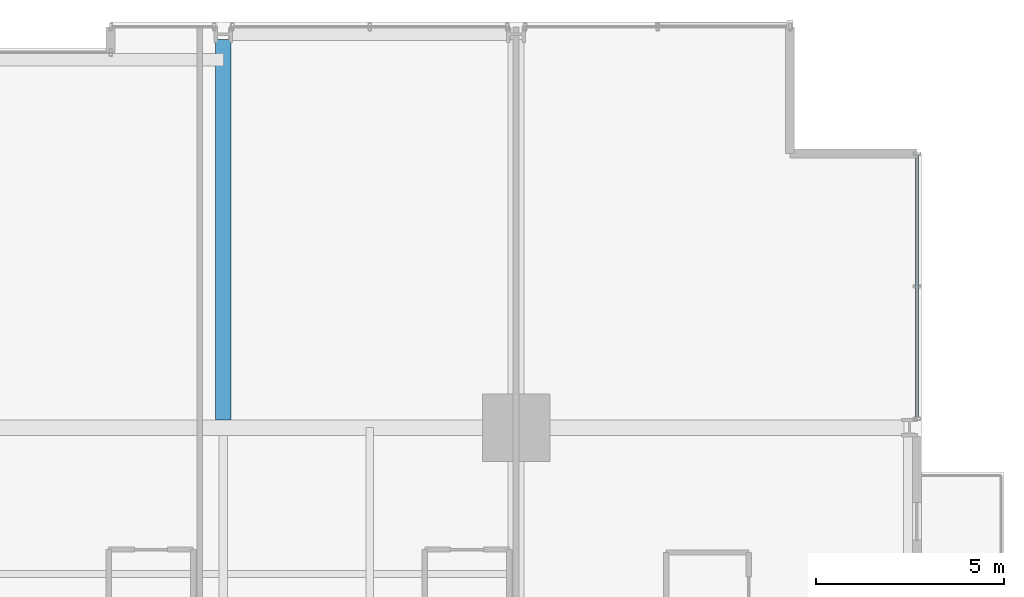
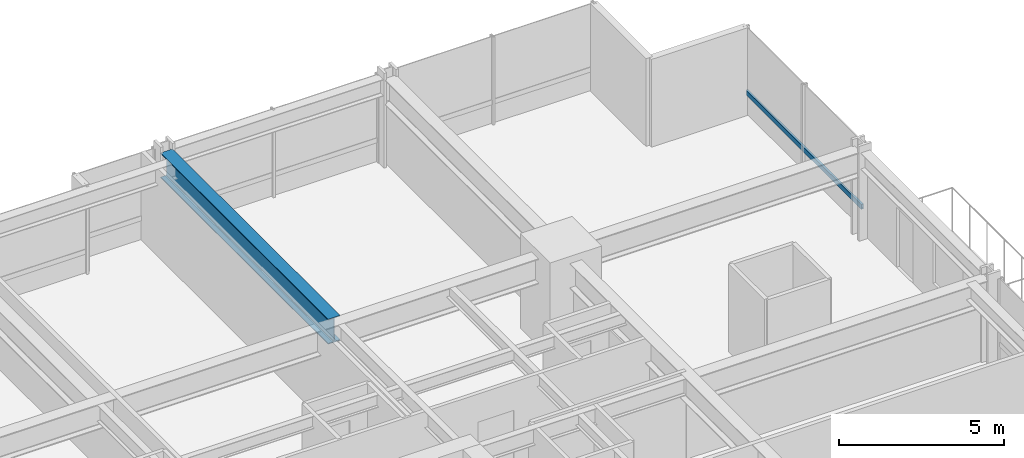
# One storey, part 26 of 38: 1 beam, 1 member, 1 element without a shape of its own.
"""IFC4 building model written with IfcOpenShell, lengths in metres."""

import ifcopenshell
import ifcopenshell.guid

model = None  # the IFC model being written
_history = None  # IfcOwnerHistory: only IFC2X3 demands one
_inside = {}  # id of a spatial element -> (the spatial element, [elements in it])
_under = {}  # id of a project, library or spatial element -> (it, [spatial elements below it])
_declared = {}  # id of a project -> (the project, [libraries it declares])
_typed = {}  # id of a type object -> (the type object, [elements of that type])
_made_of = {}  # id of a material, layer set ... -> (it, [elements and type objects made of it])


def new_model(schema):
    """Start an empty IFC model of exactly this schema.

    Asked for "IFC4X3", IfcOpenShell would pick the latest addendum, in which some entities
    have other attributes; the version numbers below select the first issue.
    IFC2X3 requires an IfcOwnerHistory on every rooted entity: one is made here for all.
    """
    global model, _history
    if schema == "IFC4X3":
        model = ifcopenshell.file(schema_version=(4, 3, 0, 0))
    else:
        model = ifcopenshell.file(schema=schema)
    _inside.clear()
    _under.clear()
    _declared.clear()
    _typed.clear()
    _made_of.clear()
    _history = None
    if model.schema == "IFC2X3":
        org = make("IfcOrganization", Name="unknown")
        user = make(
            "IfcPersonAndOrganization",
            ThePerson=make("IfcPerson", FamilyName="unknown"),
            TheOrganization=org,
        )
        app = make(
            "IfcApplication",
            ApplicationDeveloper=org,
            Version="unknown",
            ApplicationFullName="unknown",
            ApplicationIdentifier="unknown",
        )
        _history = make(
            "IfcOwnerHistory",
            OwningUser=user,
            OwningApplication=app,
            ChangeAction="ADDED",
            CreationDate=0,
        )
    return model


def make(cls, **values):
    """One entity of the class cls with the attributes given. An attribute that is None is left unset."""
    return model.create_entity(
        cls, **{name: value for name, value in values.items() if value is not None}
    )


def rooted(cls, **values):
    """An entity with a GlobalId (a new one), such as an element, a storey or a relation."""
    return make(cls, GlobalId=ifcopenshell.guid.new(), OwnerHistory=_history, **values)


def si_unit(unit_type, name, prefix=None):
    """IfcSIUnit, for example si_unit("LENGTHUNIT", "METRE", prefix="MILLI")."""
    return make("IfcSIUnit", UnitType=unit_type, Prefix=prefix, Name=name)


def assignment(units):
    """IfcUnitAssignment: the units of a project."""
    return None if units is None else make("IfcUnitAssignment", Units=units)


def point(xyz):
    """IfcCartesianPoint."""
    return None if xyz is None else make("IfcCartesianPoint", Coordinates=xyz)


def direction(xyz):
    """IfcDirection."""
    return None if xyz is None else make("IfcDirection", DirectionRatios=xyz)


def frame(location, z_axis=None, x_axis=None):
    """IfcAxis2Placement3D, a coordinate frame: its origin and axes. An axis left out is left unset."""
    return make(
        "IfcAxis2Placement3D",
        Location=point(location),
        Axis=direction(z_axis),
        RefDirection=direction(x_axis),
    )


def frame_2d(location, x_axis=None):
    """IfcAxis2Placement2D, a coordinate frame in the plane: its origin and x axis."""
    return make(
        "IfcAxis2Placement2D", Location=point(location), RefDirection=direction(x_axis)
    )


def origin():
    """The frame at (0, 0, 0) with its axes left unset."""
    return frame((0.0, 0.0, 0.0))


def origin_2d():
    """The frame at (0, 0) in the plane with its x axis left unset."""
    return frame_2d((0.0, 0.0))


def place(relative_to, where):
    """IfcLocalPlacement: puts the frame where relative to a parent placement (None: the world)."""
    return make(
        "IfcLocalPlacement", PlacementRelTo=relative_to, RelativePlacement=where
    )


def context(
    kind, dimensions, precision=None, world=None, true_north=None, identifier=None
):
    """IfcGeometricRepresentationContext, for example the 3D "Model" context."""
    return make(
        "IfcGeometricRepresentationContext",
        ContextIdentifier=identifier,
        ContextType=kind,
        CoordinateSpaceDimension=dimensions,
        Precision=precision,
        WorldCoordinateSystem=world,
        TrueNorth=true_north,
    )


def subcontext(parent, identifier, kind, view, scale=None):
    """IfcGeometricRepresentationSubContext, for example "Body" below "Model"."""
    return make(
        "IfcGeometricRepresentationSubContext",
        ContextIdentifier=identifier,
        ContextType=kind,
        ParentContext=parent,
        TargetScale=scale,
        TargetView=view,
    )


def project(units=None, contexts=None):
    """IfcProject with its units and contexts."""
    return rooted(
        "IfcProject",
        Name="project",
        RepresentationContexts=contexts,
        UnitsInContext=assignment(units),
    )


def spatial(cls, under=None, at=None, **own):
    """A site, building, storey or space (cls), placed at a placement, below another one or the project."""
    s = rooted(cls, ObjectPlacement=at, **own)
    if under is not None:
        _under.setdefault(under.id(), (under, []))[1].append(s)
    return s


def profile(cls, at=None, kind="AREA", **sizes):
    """A parametric profile (cls). Its sizes go by their IFC names, for example OverallWidth=200.0."""
    return make(cls, ProfileType=kind, Position=at, **sizes)


def hollow_rectangle(**sizes):
    """IfcRectangleHollowProfileDef."""
    return profile("IfcRectangleHollowProfileDef", **sizes)


def i_section(**sizes):
    """IfcIShapeProfileDef."""
    return profile("IfcIShapeProfileDef", **sizes)


def extrude(swept, where, along, depth):
    """IfcExtrudedAreaSolid: the profile swept, set in the frame where, extruded along a direction by depth."""
    return make(
        "IfcExtrudedAreaSolid",
        SweptArea=swept,
        Position=where,
        ExtrudedDirection=direction(along),
        Depth=depth,
    )


def shape(context_of_items, identifier, shape_type, items):
    """IfcShapeRepresentation: the items that make up one representation, for example the "Body"."""
    return make(
        "IfcShapeRepresentation",
        ContextOfItems=context_of_items,
        RepresentationIdentifier=identifier,
        RepresentationType=shape_type,
        Items=items,
    )


def material(Name=None, Category=None):
    """IfcMaterial."""
    return make("IfcMaterial", Name=Name, Category=Category)


def layer(
    of_material, thickness, ventilated=None, Name=None, Category=None, Priority=None
):
    """IfcMaterialLayer: one layer of a wall or slab, of a material (None: an air gap)."""
    return make(
        "IfcMaterialLayer",
        Material=of_material,
        LayerThickness=thickness,
        IsVentilated=ventilated,
        Name=Name,
        Category=Category,
        Priority=Priority,
    )


def layer_set(layers, Name=None):
    """IfcMaterialLayerSet."""
    return make("IfcMaterialLayerSet", MaterialLayers=layers, LayerSetName=Name)


def material_profile(
    of_material, cross_section, Name=None, Category=None, Priority=None
):
    """IfcMaterialProfile: a cross section and its material."""
    return make(
        "IfcMaterialProfile",
        Name=Name,
        Material=of_material,
        Profile=cross_section,
        Priority=Priority,
        Category=Category,
    )


def profile_set(profiles, Name=None, composite=None):
    """IfcMaterialProfileSet."""
    return make(
        "IfcMaterialProfileSet",
        Name=Name,
        MaterialProfiles=profiles,
        CompositeProfile=composite,
    )


def made_of(thing, what):
    """Note that an element or type object is made of a material, layer set ...; save() writes the relation."""
    if what is not None:
        _made_of.setdefault(what.id(), (what, []))[1].append(thing)
    return thing


def type_object(cls, material=None, **own):
    """A type object (cls), such as IfcWallType, which elements share."""
    return made_of(rooted(cls, **own), material)


def element(
    cls,
    number,
    at=None,
    inside=None,
    cuts=None,
    type_object=None,
    material=None,
    context=None,
    identifier="Body",
    shape_type=None,
    held_by="IfcProductDefinitionShape",
    body=None,
    shapes=None,
    **own,
):
    """One element of the class cls, such as IfcWall. Its Tag is "e" and its number.

    at: its placement. inside: the storey or other place that contains it. cuts: it is an
    opening in that element (IfcRelVoidsElement). A single representation is given by context,
    identifier, shape_type and body (its items); several are given by shapes. held_by: the class
    of the entity that holds the representations. save() writes the other relations.
    """
    e = rooted(cls, Tag="e%d" % number, ObjectPlacement=at, **own)
    if body is not None:
        shapes = [shape(context, identifier, shape_type, body)]
    if shapes is not None:
        e.Representation = make(held_by, Representations=shapes)
    if inside is not None:
        _inside.setdefault(inside.id(), (inside, []))[1].append(e)
    if cuts is not None:
        rooted(
            "IfcRelVoidsElement", RelatingBuildingElement=cuts, RelatedOpeningElement=e
        )
    if type_object is not None:
        _typed.setdefault(type_object.id(), (type_object, []))[1].append(e)
    return made_of(e, material)


def aggregate(whole, parts):
    """IfcRelAggregates: a whole, such as a stair, and the parts it consists of."""
    return rooted("IfcRelAggregates", RelatingObject=whole, RelatedObjects=parts)


def save(model, path):
    """Write the relations noted so far, then the file.

    IfcRelAggregates (storeys below a building ...), IfcRelContainedInSpatialStructure (elements
    in a storey), IfcRelDefinesByType, IfcRelAssociatesMaterial and IfcRelDeclares: one each for
    every whole, place, type object, material and project.
    """
    for whole, parts in _under.values():
        aggregate(whole, parts)
    for where, things in _inside.values():
        rooted(
            "IfcRelContainedInSpatialStructure",
            RelatedElements=things,
            RelatingStructure=where,
        )
    for kind, things in _typed.values():
        rooted("IfcRelDefinesByType", RelatedObjects=things, RelatingType=kind)
    for what, things in _made_of.values():
        rooted("IfcRelAssociatesMaterial", RelatedObjects=things, RelatingMaterial=what)
    for by, libraries in _declared.values():
        rooted("IfcRelDeclares", RelatingContext=by, RelatedDefinitions=libraries)
    model.write(path)


model = new_model("IFC4")

# Units and contexts
model_context = context("Model", 3, precision=1e-05, world=origin(), true_north=direction((0.0, 1.0)))
body_context = subcontext(model_context, "Body", "Model", "MODEL_VIEW")
ifc_project = project(units=[si_unit("LENGTHUNIT", "METRE"), si_unit("AREAUNIT", "SQUARE_METRE"), si_unit("VOLUMEUNIT", "CUBIC_METRE"), si_unit("PLANEANGLEUNIT", "RADIAN"), si_unit("MASSUNIT", "GRAM", prefix="KILO")], contexts=[model_context])

# Site, building, storey
site_placement = place(None, origin())
site = spatial("IfcSite", under=ifc_project, at=site_placement, CompositionType="ELEMENT")
building_placement = place(site_placement, origin())
building = spatial("IfcBuilding", under=site, at=building_placement, Name="Drelvath Grand Hotel", CompositionType="ELEMENT")
storey_placement = place(building_placement, frame((0.0, 0.0, 47.199951171875)))
storey = spatial("IfcBuildingStorey", under=building, at=storey_placement, Name="L10", CompositionType="ELEMENT", Elevation=47.199951171875)

# Curtain wall, member
ifc_material_1 = material(Name="Warm Bronze Anodised Aluminium Frame", Category="aluminium")
ifc_layer = layer(ifc_material_1, 0.199951171875)
ifc_layer_set = layer_set([ifc_layer], Name="Warm Bronze Anodised Aluminium Frame")
curtain_wall_type = type_object("IfcCurtainWallType", Name="Stick Curtain Wall CW-02 Warm Bronze Low-Rise", PredefinedType="NOTDEFINED", material=ifc_layer_set)
curtain_wall_placement = place(storey_placement, origin())
curtain_wall = element("IfcCurtainWall", 1, at=curtain_wall_placement, inside=storey, type_object=curtain_wall_type, Name="L10 CW-02 Curtain Wall CW02-L10-EN3", PredefinedType="NOTDEFINED")
ifc_material_profile_1 = material_profile(ifc_material_1, hollow_rectangle(XDim=0.074951171875, YDim=0.179931640625, WallThickness=0.0048828125, at=origin_2d()), Name="HSS180X75X5")
ifc_profile_set_1 = profile_set([ifc_material_profile_1], Name="Warm Bronze Anodised Aluminium Frame")
member_type = type_object("IfcMemberType", Name="Curtain Wall Horizontal Transom CW-02 HSS180X75X5", PredefinedType="USERDEFINED", material=ifc_profile_set_1)
member_placement = place(storey_placement, frame((26.8798828125, 50.4599609375, 0.81005859375), z_axis=(0.0, -1.0, 0.0), x_axis=(1.0, 0.0, 0.0)))
member = element("IfcMember", 2, at=member_placement, type_object=member_type, Name="CW02-L10-EN3 Sill Transom", ObjectType="TRANSOM", PredefinedType="USERDEFINED", context=body_context, shape_type="SweptSolid", body=[
    extrude(hollow_rectangle(XDim=0.074951171875, YDim=0.179931640625, WallThickness=0.0048828125, at=origin_2d()), origin(), (0.0, 0.0, 1.0), 6.97900390625),
])
aggregate(curtain_wall, [member])

# Beam
ifc_material_2 = material(Name="Steel ASTM A992 Gr 50", Category="steel")
ifc_material_profile_2 = material_profile(ifc_material_2, i_section(OverallWidth=0.418212890625, OverallDepth=0.926513671875, WebThickness=0.019287109375, FlangeThickness=0.031982421875, FilletRadius=0.028076171875, at=origin_2d()), Name="W36X231")
ifc_profile_set_2 = profile_set([ifc_material_profile_2], Name="Steel ASTM A992 Gr 50")
beam_type = type_object("IfcBeamType", Name="Primary Floor Girder W36X231", PredefinedType="BEAM", material=ifc_profile_set_2)
beam_placement = place(storey_placement, frame((8.39990234375, 43.4091796875, 2.77685546875), z_axis=(0.0, 1.0, 0.0), x_axis=(-1.0, 0.0, 0.0)))
element("IfcBeam", 3, at=beam_placement, inside=storey, type_object=beam_type, Name="L10 North Wing Girder 6", PredefinedType="BEAM", context=body_context, shape_type="SweptSolid", body=[
    extrude(i_section(OverallWidth=0.418212890625, OverallDepth=0.926513671875, WebThickness=0.019287109375, FlangeThickness=0.031982421875, FilletRadius=0.028076171875, at=origin_2d()), origin(), (0.0, 0.0, 1.0), 10.130859375),
])

save(model, "model.ifc")
